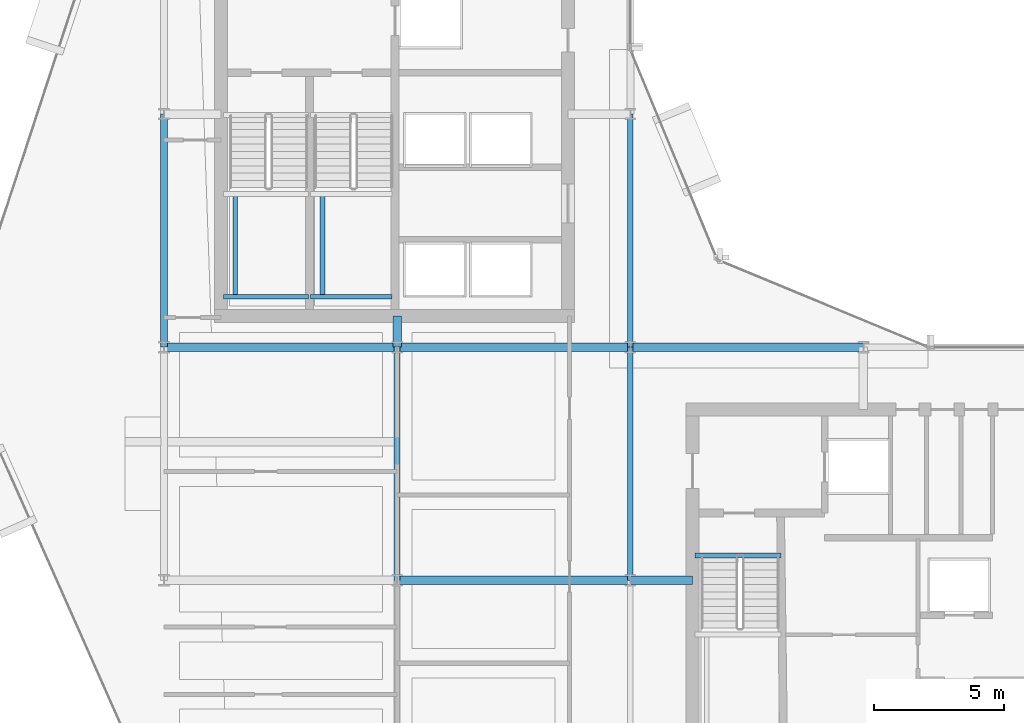
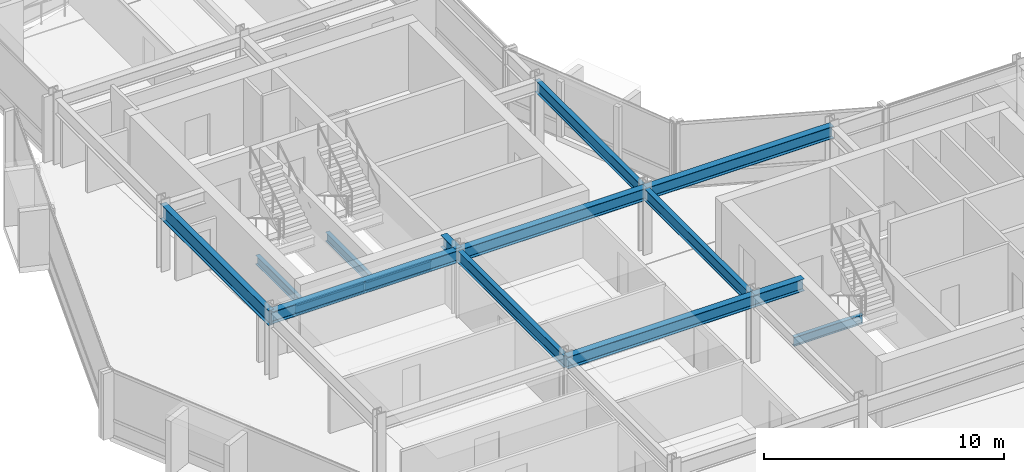
# One storey, part 7 of 29: 15 beams.
"""IFC4 building model written with IfcOpenShell, lengths in metres."""

from ifc_helpers import new_model, si_unit, direction, frame, origin, origin_2d, place, context, subcontext, project, spatial, i_section, extrude, material, material_profile, profile_set, type_object, element, save


model = new_model("IFC4")

# Units and contexts
model_context = context("Model", 3, precision=1e-05, world=origin(), true_north=direction((0.0, 1.0)))
body_context = subcontext(model_context, "Body", "Model", "MODEL_VIEW")
ifc_project = project(units=[si_unit("LENGTHUNIT", "METRE"), si_unit("AREAUNIT", "SQUARE_METRE"), si_unit("VOLUMEUNIT", "CUBIC_METRE"), si_unit("PLANEANGLEUNIT", "RADIAN"), si_unit("MASSUNIT", "GRAM", prefix="KILO")], contexts=[model_context])

# Site, building, storey
site_placement = place(None, origin())
site = spatial("IfcSite", under=ifc_project, at=site_placement, CompositionType="ELEMENT")
building_placement = place(site_placement, origin())
building = spatial("IfcBuilding", under=site, at=building_placement, Name="Solvaryn Broadcast Tower", CompositionType="ELEMENT")
storey_placement = place(building_placement, frame((0.0, 0.0, 165.5)))
storey = spatial("IfcBuildingStorey", under=building, at=storey_placement, Name="L41", CompositionType="ELEMENT", Elevation=165.5)

# Beams
ifc_material_1 = material(Name="Steel ASTM A992 Grade 50", Category="steel")
ifc_material_profile_1 = material_profile(ifc_material_1, i_section(OverallWidth=0.323974609375, OverallDepth=0.611083984375, WebThickness=0.0126953125, FlangeThickness=0.01904296875, FilletRadius=0.014892578125, at=origin_2d()))
ifc_profile_set_1 = profile_set([ifc_material_profile_1], Name="Steel ASTM A992 Grade 50")
beam_type_1 = type_object("IfcBeamType", Name="BM-B1-W24X104", PredefinedType="BEAM", material=ifc_profile_set_1)
for number, where, z_axis, x_axis, name in (
    (1, (18.0, 18.0, 3.064453125), (1.0, 0.0, 0.0), (0.0, 1.0, 0.0), "L41 Primary Beam X (18-27 @ Y=18)"),
    (2, (9.0, 27.0, 3.064453125), (1.0, 0.0, 0.0), (0.0, 1.0, 0.0), "L41 Primary Beam X (9-18 @ Y=27)"),
    (3, (18.0, 27.0, 3.064453125), (1.0, 0.0, 0.0), (0.0, 1.0, 0.0), "L41 Primary Beam X (18-27 @ Y=27)"),
    (4, (27.0, 27.0, 3.064453125), (1.0, 0.0, 0.0), (0.0, 1.0, 0.0), "L41 Primary Beam X (27-36 @ Y=27)"),
):
    element("IfcBeam", number, at=place(storey_placement, frame(where, z_axis=z_axis, x_axis=x_axis)), inside=storey, type_object=beam_type_1, Name=name, PredefinedType="BEAM", context=body_context, shape_type="SweptSolid", body=[
        extrude(i_section(OverallWidth=0.323974609375, OverallDepth=0.611083984375, WebThickness=0.0126953125, FlangeThickness=0.01904296875, FilletRadius=0.014892578125, at=origin_2d()), origin(), (0.0, 0.0, 1.0), 9.0),
    ])
beam_1_placement = place(storey_placement, frame((18.0, 27.0, 3.064453125), z_axis=(0.0, 1.0, 0.0), x_axis=(-1.0, 0.0, 0.0)))
element("IfcBeam", 5, at=beam_1_placement, inside=storey, type_object=beam_type_1, Name="L41 Core Tie Beam CTW4", PredefinedType="BEAM", context=body_context, shape_type="SweptSolid", body=[
    extrude(i_section(OverallWidth=0.323974609375, OverallDepth=0.611083984375, WebThickness=0.0126953125, FlangeThickness=0.01904296875, FilletRadius=0.014892578125, at=origin_2d()), origin(), (0.0, 0.0, 1.0), 1.199951171875),
])
beam_2_placement = place(storey_placement, frame((27.0, 18.0, 3.064453125), z_axis=(1.0, 0.0, 0.0), x_axis=(0.0, 1.0, 0.0)))
element("IfcBeam", 6, at=beam_2_placement, inside=storey, type_object=beam_type_1, Name="L41 Core Tie Beam CTE4", PredefinedType="BEAM", context=body_context, shape_type="SweptSolid", body=[
    extrude(i_section(OverallWidth=0.323974609375, OverallDepth=0.611083984375, WebThickness=0.0126953125, FlangeThickness=0.01904296875, FilletRadius=0.014892578125, at=origin_2d()), origin(), (0.0, 0.0, 1.0), 2.39990234375),
])
ifc_material_2 = material(Name="Steel ASTM A992 Grade 50", Category="steel")
ifc_material_profile_2 = material_profile(ifc_material_2, i_section(OverallWidth=0.22802734375, OverallDepth=0.60791015625, WebThickness=0.01123046875, FlangeThickness=0.017333984375, FilletRadius=0.014892578125, at=origin_2d()))
ifc_profile_set_2 = profile_set([ifc_material_profile_2], Name="Steel ASTM A992 Grade 50")
beam_type_2 = type_object("IfcBeamType", Name="BM-B2-W24X76", PredefinedType="BEAM", material=ifc_profile_set_2)
for number, where, z_axis, x_axis, name in (
    (7, (18.0, 18.0, 3.06591796875), (0.0, 1.0, 0.0), (-1.0, 0.0, 0.0), "L41 Primary Beam Y (18-27 @ X=18)"),
    (8, (27.0, 18.0, 3.06591796875), (0.0, 1.0, 0.0), (-1.0, 0.0, 0.0), "L41 Primary Beam Y (18-27 @ X=27)"),
    (9, (27.0, 27.0, 3.06591796875), (0.0, 1.0, 0.0), (-1.0, 0.0, 0.0), "L41 Primary Beam Y (27-36 @ X=27)"),
):
    element("IfcBeam", number, at=place(storey_placement, frame(where, z_axis=z_axis, x_axis=x_axis)), inside=storey, type_object=beam_type_2, Name=name, PredefinedType="BEAM", context=body_context, shape_type="SweptSolid", body=[
        extrude(i_section(OverallWidth=0.22802734375, OverallDepth=0.60791015625, WebThickness=0.01123046875, FlangeThickness=0.017333984375, FilletRadius=0.014892578125, at=origin_2d()), origin(), (0.0, 0.0, 1.0), 9.0),
    ])
ifc_material_3 = material(Name="Steel ASTM A992 Grade 50", Category="steel")
ifc_material_profile_3 = material_profile(ifc_material_3, i_section(OverallWidth=0.18994140625, OverallDepth=0.45703125, WebThickness=0.009033203125, FlangeThickness=0.014404296875, FilletRadius=0.011962890625, at=origin_2d()))
ifc_profile_set_3 = profile_set([ifc_material_profile_3], Name="Steel ASTM A992 Grade 50")
beam_type_3 = type_object("IfcBeamType", Name="BM-B4-W18X50", PredefinedType="BEAM", material=ifc_profile_set_3)
beam_3_placement = place(storey_placement, frame((11.300048828125, 28.949951171875, 1.42138671875), z_axis=(1.0, 0.0, 0.0), x_axis=(0.0, 1.0, 0.0)))
element("IfcBeam", 10, at=beam_3_placement, inside=storey, type_object=beam_type_3, Name="L41 ST1 Landing Support Beam 1A", PredefinedType="BEAM", context=body_context, shape_type="SweptSolid", body=[
    extrude(i_section(OverallWidth=0.18994140625, OverallDepth=0.45703125, WebThickness=0.009033203125, FlangeThickness=0.014404296875, FilletRadius=0.011962890625, at=origin_2d()), origin(), (0.0, 0.0, 1.0), 3.280029296875),
])
beam_4_placement = place(storey_placement, frame((11.75, 28.949951171875, 1.42138671875), z_axis=(0.0, 1.0, 0.0), x_axis=(-1.0, 0.0, 0.0)))
element("IfcBeam", 11, at=beam_4_placement, inside=storey, type_object=beam_type_3, Name="L41 ST1 Landing Cross Stringer 1C", PredefinedType="BEAM", context=body_context, shape_type="SweptSolid", body=[
    extrude(i_section(OverallWidth=0.18994140625, OverallDepth=0.45703125, WebThickness=0.009033203125, FlangeThickness=0.014404296875, FilletRadius=0.011962890625, at=origin_2d()), origin(), (0.0, 0.0, 1.0), 3.9599609375),
])
beam_5_placement = place(storey_placement, frame((14.659912109375, 28.949951171875, 1.42138671875), z_axis=(1.0, 0.0, 0.0), x_axis=(0.0, 1.0, 0.0)))
element("IfcBeam", 12, at=beam_5_placement, inside=storey, type_object=beam_type_3, Name="L41 ST2 Landing Support Beam 1A", PredefinedType="BEAM", context=body_context, shape_type="SweptSolid", body=[
    extrude(i_section(OverallWidth=0.18994140625, OverallDepth=0.45703125, WebThickness=0.009033203125, FlangeThickness=0.014404296875, FilletRadius=0.011962890625, at=origin_2d()), origin(), (0.0, 0.0, 1.0), 3.14013671875),
])
beam_6_placement = place(storey_placement, frame((15.110107421875, 28.949951171875, 1.42138671875), z_axis=(0.0, 1.0, 0.0), x_axis=(-1.0, 0.0, 0.0)))
element("IfcBeam", 13, at=beam_6_placement, inside=storey, type_object=beam_type_3, Name="L41 ST2 Landing Cross Stringer 1C", PredefinedType="BEAM", context=body_context, shape_type="SweptSolid", body=[
    extrude(i_section(OverallWidth=0.18994140625, OverallDepth=0.45703125, WebThickness=0.009033203125, FlangeThickness=0.014404296875, FilletRadius=0.011962890625, at=origin_2d()), origin(), (0.0, 0.0, 1.0), 3.9599609375),
])
beam_7_placement = place(storey_placement, frame((29.5, 18.9599609375, -0.508544921875), z_axis=(1.0, 0.0, 0.0), x_axis=(0.0, 1.0, 0.0)))
element("IfcBeam", 14, at=beam_7_placement, inside=storey, type_object=beam_type_3, Name="L41 ST3 Stair Well Trimmer Beam", PredefinedType="BEAM", context=body_context, shape_type="SweptSolid", body=[
    extrude(i_section(OverallWidth=0.18994140625, OverallDepth=0.45703125, WebThickness=0.009033203125, FlangeThickness=0.014404296875, FilletRadius=0.011962890625, at=origin_2d()), origin(), (0.0, 0.0, 1.0), 3.320068359375),
])
ifc_material_4 = material(Name="Steel ASTM A992 Grade 50", Category="steel")
ifc_material_profile_4 = material_profile(ifc_material_4, i_section(OverallWidth=0.26708984375, OverallDepth=0.76611328125, WebThickness=0.014892578125, FlangeThickness=0.023681640625, FilletRadius=0.01806640625, at=origin_2d()))
ifc_profile_set_4 = profile_set([ifc_material_profile_4], Name="Steel ASTM A992 Grade 50")
beam_type_4 = type_object("IfcBeamType", Name="BM-SP2-W30X124", PredefinedType="USERDEFINED", material=ifc_profile_set_4)
beam_8_placement = place(storey_placement, frame((9.0, 27.0, 2.987060546875), z_axis=(0.0, 1.0, 0.0), x_axis=(-1.0, 0.0, 0.0)))
element("IfcBeam", 15, at=beam_8_placement, inside=storey, type_object=beam_type_4, Name="L41 Spandrel Beam Y (27-36 @ X=9)", ObjectType="SPANDREL", PredefinedType="USERDEFINED", context=body_context, shape_type="SweptSolid", body=[
    extrude(i_section(OverallWidth=0.26708984375, OverallDepth=0.76611328125, WebThickness=0.014892578125, FlangeThickness=0.023681640625, FilletRadius=0.01806640625, at=origin_2d()), origin(), (0.0, 0.0, 1.0), 9.0),
])

save(model, "model.ifc")
